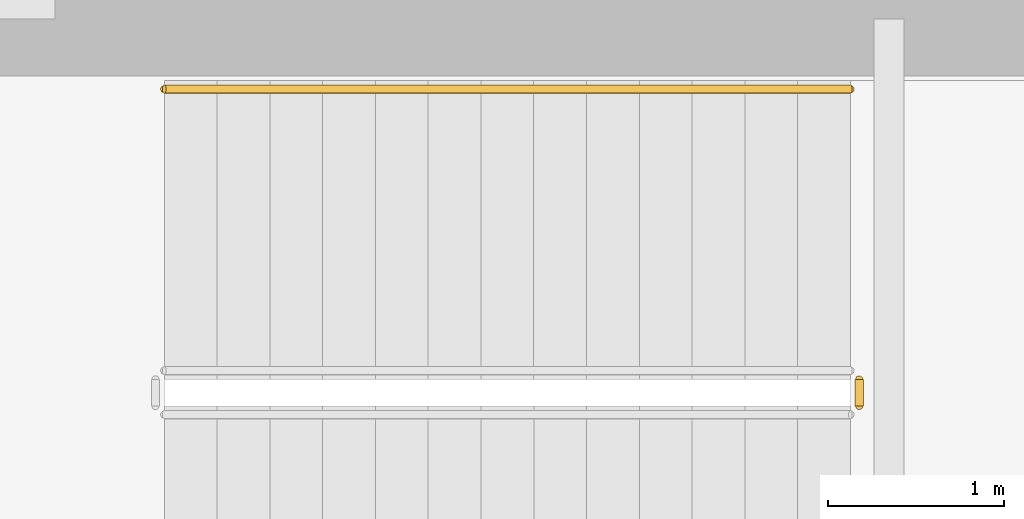
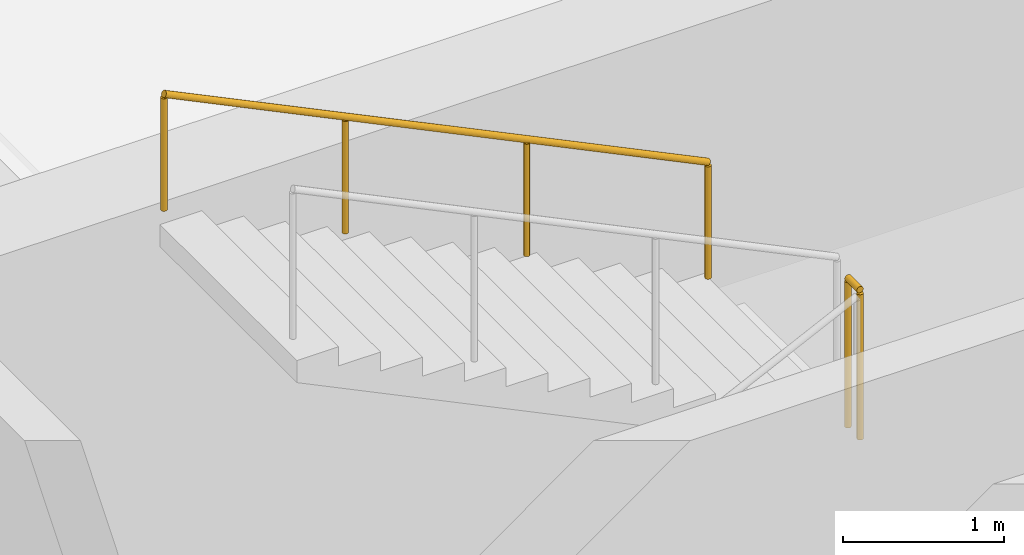
# One storey, part 26 of 32: 2 railings.
"""IFC4 building model written with IfcOpenShell, lengths in metres."""

from ifc_helpers import new_model, si_unit, direction, frame, origin, origin_2d, place, context, subcontext, project, spatial, circle, extrude, material, type_object, element, save


model = new_model("IFC4")

# Units and contexts
model_context = context("Model", 3, precision=1e-05, world=origin(), true_north=direction((0.0, 1.0)))
body_context = subcontext(model_context, "Body", "Model", "MODEL_VIEW")
ifc_project = project(units=[si_unit("LENGTHUNIT", "METRE"), si_unit("AREAUNIT", "SQUARE_METRE"), si_unit("VOLUMEUNIT", "CUBIC_METRE"), si_unit("PLANEANGLEUNIT", "RADIAN"), si_unit("MASSUNIT", "GRAM", prefix="KILO")], contexts=[model_context])

# Site, building, storey
site_placement = place(None, origin())
site = spatial("IfcSite", under=ifc_project, at=site_placement, CompositionType="ELEMENT")
building_placement = place(site_placement, origin())
building = spatial("IfcBuilding", under=site, at=building_placement, Name="Punatoya Terracotta Tower", CompositionType="ELEMENT")
storey_placement = place(building_placement, frame((0.0, 0.0, 139.800048828125)))
storey = spatial("IfcBuildingStorey", under=building, at=storey_placement, Name="L32", CompositionType="ELEMENT", Elevation=139.800048828125)

# Railings
ifc_material = material(Name="Steel S355", Category="steel")
railing_type_1 = type_object("IfcRailingType", Name="RLG-GRD-1150", PredefinedType="GUARDRAIL", material=ifc_material)
railing_1_placement = place(storey_placement, frame((1.050048828125, 7.0, 2.02490234375)))
element("IfcRailing", 1, at=railing_1_placement, inside=storey, type_object=railing_type_1, Name="L32 ST-3 stair guard 2", PredefinedType="GUARDRAIL", context=body_context, shape_type="SweptSolid", body=[
    extrude(circle(Radius=0.02392578125, at=origin_2d()), frame((0.0, 0.0, 1.1259765625), z_axis=(0.0, 1.0, 0.0), x_axis=(-1.0, 0.0, 0.0)), (0.0, 0.0, 1.0), 0.14990234375),
    extrude(circle(Radius=0.02099609375, at=origin_2d()), origin(), (0.0, 0.0, 1.0), 1.101806640625),
    extrude(circle(Radius=0.02099609375, at=origin_2d()), frame((0.0, 0.14990234375, 0.0)), (0.0, 0.0, 1.0), 1.101806640625),
])
railing_type_2 = type_object("IfcRailingType", Name="RLG-HND-900", PredefinedType="HANDRAIL", material=ifc_material)
railing_2_placement = place(storey_placement, frame((1.0, 8.800048828125, 2.169677734375)))
element("IfcRailing", 2, at=railing_2_placement, inside=storey, type_object=railing_type_2, Name="L32 ST-3 stair handrail 2", PredefinedType="HANDRAIL", context=body_context, shape_type="SweptSolid", body=[
    extrude(circle(Radius=0.02392578125, at=origin_2d()), frame((0.0, 0.0, 0.8759765625), z_axis=(-0.900763166376, 0.0, 0.434310623978), x_axis=(0.0, -1.0, 0.0)), (0.0, 0.0, 1.0), 4.32958984375),
    extrude(circle(Radius=0.02099609375, at=origin_2d()), origin(), (0.0, 0.0, 1.0), 0.851806640625),
    extrude(circle(Radius=0.02099609375, at=origin_2d()), frame((-1.300048828125, 0.0, 0.626708984375)), (0.0, 0.0, 1.0), 0.851806640625),
    extrude(circle(Radius=0.02099609375, at=origin_2d()), frame((-2.599853515625, 0.0, 1.253662109375)), (0.0, 0.0, 1.0), 0.851806640625),
    extrude(circle(Radius=0.02099609375, at=origin_2d()), frame((-3.89990234375, 0.0, 1.88037109375)), (0.0, 0.0, 1.0), 0.851806640625),
])

save(model, "model.ifc")
